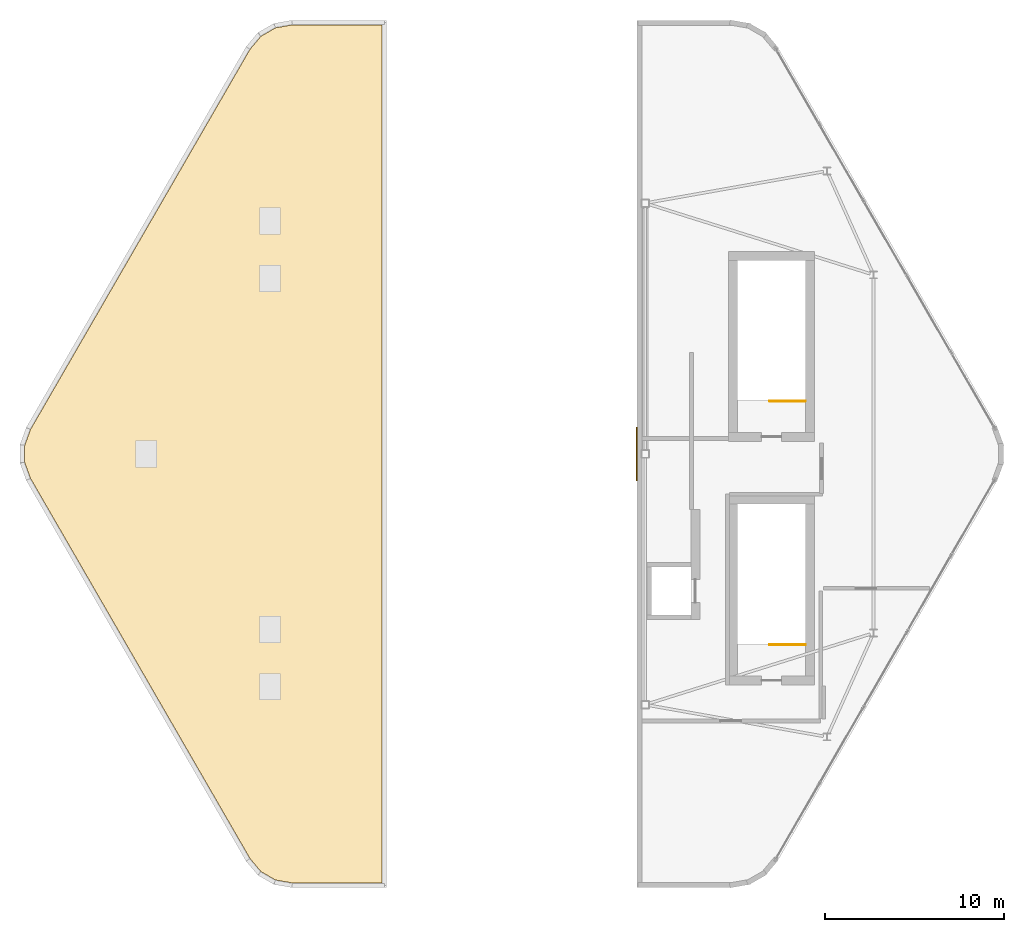
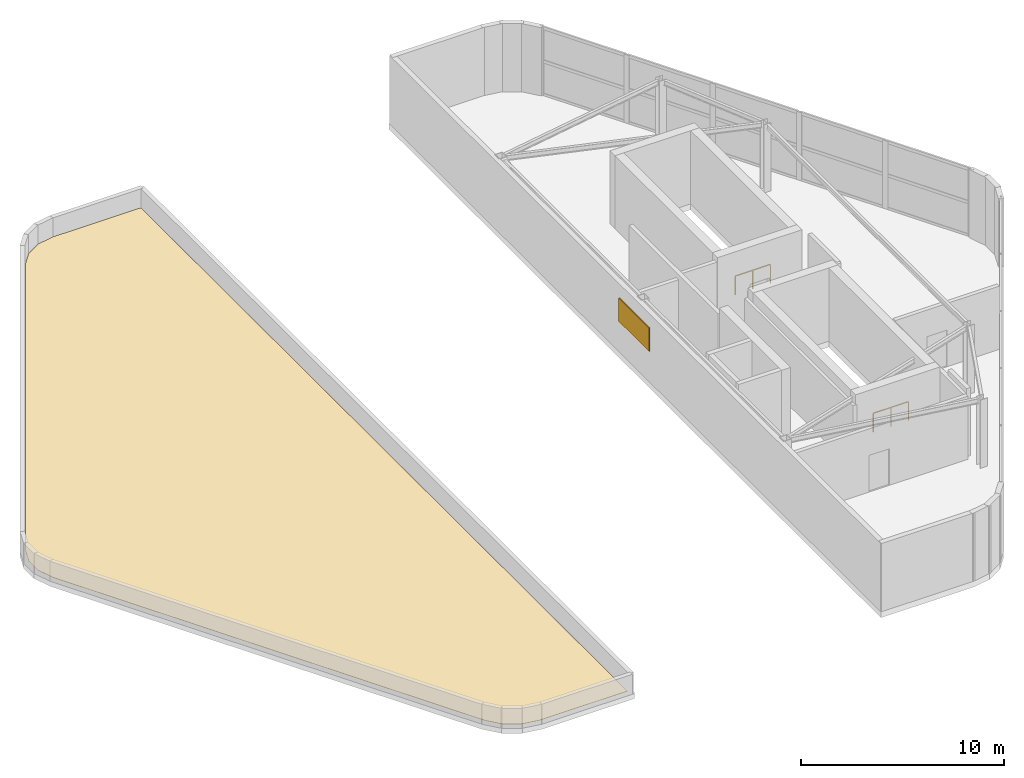
# One storey, part 8 of 8: 2 railings, 1 covering, 1 shading device.
"""IFC4 building model written with IfcOpenShell, lengths in metres."""

from ifc_helpers import new_model, si_unit, direction, frame, origin, origin_2d, place, context, subcontext, project, spatial, polyline, rectangle, outline, extrude, material, layer, layer_set, type_object, element, save


model = new_model("IFC4")

# Units and contexts
model_context = context("Model", 3, precision=1e-05, world=origin(), true_north=direction((0.0, 1.0)))
body_context = subcontext(model_context, "Body", "Model", "MODEL_VIEW")
ifc_project = project(units=[si_unit("LENGTHUNIT", "METRE"), si_unit("AREAUNIT", "SQUARE_METRE"), si_unit("VOLUMEUNIT", "CUBIC_METRE"), si_unit("PLANEANGLEUNIT", "RADIAN"), si_unit("MASSUNIT", "GRAM", prefix="KILO")], contexts=[model_context])

# Site, building, storey
site_placement = place(None, origin())
site = spatial("IfcSite", under=ifc_project, at=site_placement, CompositionType="ELEMENT")
building_placement = place(site_placement, origin())
building = spatial("IfcBuilding", under=site, at=building_placement, Name="Zuhravey Tower", CompositionType="ELEMENT")
storey_placement = place(building_placement, frame((0.0, 0.0, 383.39990234375)))
storey = spatial("IfcBuildingStorey", under=building, at=storey_placement, Name="L97", CompositionType="ELEMENT", Elevation=383.39990234375)

# Shading device
ifc_material_1 = material(Name="Bronze-anodised perforated aluminium", Category="aluminium")
ifc_layer_1 = layer(ifc_material_1, 0.06005859375)
ifc_layer_set_1 = layer_set([ifc_layer_1], Name="Bronze-anodised perforated aluminium")
shading_device_type = type_object("IfcShadingDeviceType", Name="Girih Mashrabiya Solar Screen", PredefinedType="USERDEFINED", material=ifc_layer_set_1)
shading_device_placement = place(storey_placement, frame((42.969970703125, 32.0, 1.900146484375), z_axis=(0.0, 0.0, 1.0), x_axis=(0.0, 1.0, 0.0)))
element("IfcShadingDevice", 1, at=shading_device_placement, inside=storey, type_object=shading_device_type, Name="L97 EAST Wind-Portal Girih Screen SCR1", ObjectType="SCREEN", PredefinedType="USERDEFINED", context=body_context, shape_type="SweptSolid", body=[
    extrude(rectangle(XDim=3.0, YDim=0.06005859375, at=origin_2d()), origin(), (0.0, 0.0, 1.0), 1.39990234375),
])

# Covering
ifc_material_2 = material(Name="EPDM insulated roof membrane")
ifc_layer_2 = layer(ifc_material_2, 0.01806640625)
ifc_layer_set_2 = layer_set([ifc_layer_2], Name="EPDM insulated roof membrane")
covering_type = type_object("IfcCoveringType", Name="Roof Waterproofing Membrane", PredefinedType="ROOFING", material=ifc_layer_set_2)
covering_placement = place(storey_placement, frame((0.0, 0.0, 0.06005859375)))
element("IfcCovering", 2, at=covering_placement, inside=storey, type_object=covering_type, Name="L97 WEST Crest Roof Membrane RFM1", PredefinedType="ROOFING", context=body_context, shape_type="SweptSolid", body=[
    extrude(outline(polyline([(23.745849609375, 8.0458984375), (22.804443359375, 8.2119140625), (21.99658203125, 8.67822265625), (21.382080078125, 9.41064453125), (9.128173828125, 30.63525390625), (8.80126953125, 31.533447265625), (8.80126953125, 32.466552734375), (9.128173828125, 33.36474609375), (21.382080078125, 54.58935546875), (21.99658203125, 55.32177734375), (22.804443359375, 55.7880859375), (23.745849609375, 55.9541015625), (28.739990234375, 55.9541015625), (28.739990234375, 8.0458984375), (23.745849609375, 8.0458984375)])), origin(), (0.0, 0.0, 1.0), 0.01806640625),
])

# Railings
ifc_material_3 = material(Name="Painted tubular steel", Category="steel")
railing_type = type_object("IfcRailingType", Name="Stair Well Guardrail 1150", PredefinedType="GUARDRAIL", material=ifc_material_3)
for number, where, name in (
    (3, (52.39990234375, 21.35009765625, 0.0), "L97 CST2 top well guard 1"),
    (4, (52.39990234375, 34.949951171875, 0.0), "L97 CST3 top well guard 1"),
):
    element("IfcRailing", number, at=place(storey_placement, frame(where)), inside=storey, type_object=railing_type, Name=name, PredefinedType="GUARDRAIL", context=body_context, shape_type="SweptSolid", body=[
        extrude(rectangle(XDim=0.048095703125, YDim=0.048095703125, at=origin_2d()), frame((-0.001953125, 0.0, 1.1259765625), z_axis=(-1.0, 0.0, 0.0), x_axis=(0.0, -1.0, 0.0)), (0.0, 0.0, 1.0), 1.99609375),
        extrude(rectangle(XDim=0.0419921875, YDim=0.0419921875, at=origin_2d()), origin(), (0.0, 0.0, 1.0), 1.099853515625),
        extrude(rectangle(XDim=0.0419921875, YDim=0.0419921875, at=origin_2d()), frame((-1.0, 0.0, 0.0)), (0.0, 0.0, 1.0), 1.099853515625),
        extrude(rectangle(XDim=0.0419921875, YDim=0.0419921875, at=origin_2d()), frame((-2.0, 0.0, 0.0)), (0.0, 0.0, 1.0), 1.099853515625),
    ])

save(model, "model.ifc")
